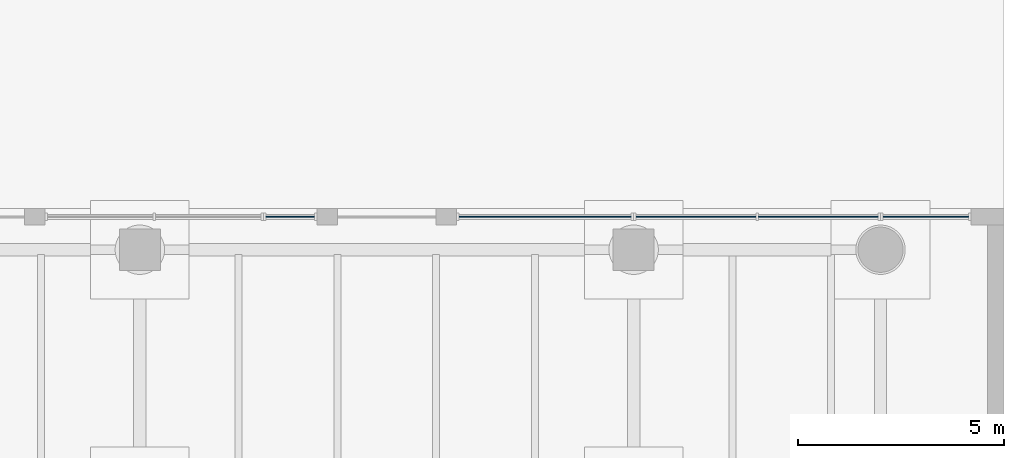
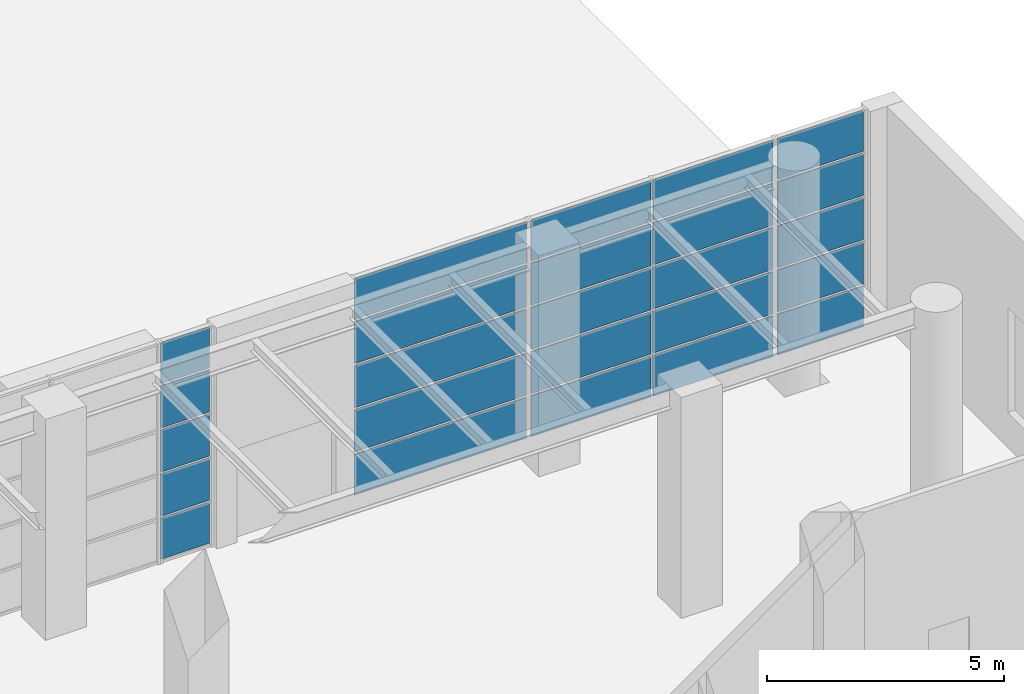
# One storey, part 11 of 27: 25 plates, 4 elements without a shape of their own.
"""IFC4 building model written with IfcOpenShell, lengths in metres."""

from ifc_helpers import new_model, si_unit, direction, frame, origin, origin_2d, place, context, subcontext, project, spatial, rectangle, extrude, material, layer, layer_set, type_object, element, aggregate, save


model = new_model("IFC4")

# Units and contexts
model_context = context("Model", 3, precision=1e-05, world=origin(), true_north=direction((0.0, 1.0)))
body_context = subcontext(model_context, "Body", "Model", "MODEL_VIEW")
ifc_project = project(units=[si_unit("LENGTHUNIT", "METRE"), si_unit("AREAUNIT", "SQUARE_METRE"), si_unit("VOLUMEUNIT", "CUBIC_METRE"), si_unit("PLANEANGLEUNIT", "RADIAN"), si_unit("MASSUNIT", "GRAM", prefix="KILO")], contexts=[model_context])

# Site, building, storey
site_placement = place(None, origin())
site = spatial("IfcSite", under=ifc_project, at=site_placement, CompositionType="ELEMENT")
building_placement = place(site_placement, origin())
building = spatial("IfcBuilding", under=site, at=building_placement, Name="Poui Terraces", CompositionType="ELEMENT")
storey_placement = place(building_placement, origin())
storey = spatial("IfcBuildingStorey", under=building, at=storey_placement, Name="L00", CompositionType="ELEMENT", Elevation=0.0)

# Curtain wall, plates
ifc_material = material(Name="Clear glass", Category="glass")
ifc_layer_1 = layer(ifc_material, 0.179931640625)
ifc_layer_set_1 = layer_set([ifc_layer_1], Name="Clear glass")
curtain_wall_type = type_object("IfcCurtainWallType", Name="CURTAIN WALL CW-B RESIDENT LOBBY GLAZING", PredefinedType="NOTDEFINED", material=ifc_layer_set_1)
curtain_wall_1_placement = place(storey_placement, origin())
curtain_wall_1 = element("IfcCurtainWall", 1, at=curtain_wall_1_placement, inside=storey, type_object=curtain_wall_type, Name="CW-B RESIDENT LOBBY GLAZING", PredefinedType="NOTDEFINED")
ifc_layer_2 = layer(ifc_material, 0.028076171875)
ifc_layer_set_2 = layer_set([ifc_layer_2], Name="Clear glass")
plate_type = type_object("IfcPlateType", Name="CW-B GLASS PANEL 28", PredefinedType="CURTAIN_PANEL", material=ifc_layer_set_2)
plate_1_placement = place(storey_placement, frame((87.64990234375, 74.800048828125, 0.06005859375), z_axis=(0.0, 0.0, 1.0), x_axis=(-1.0, 0.0, 0.0)))
plate_1 = element("IfcPlate", 2, at=plate_1_placement, type_object=plate_type, Name="CW-B panel 1.1", PredefinedType="CURTAIN_PANEL", context=body_context, shape_type="SweptSolid", body=[
    extrude(rectangle(XDim=1.179931640625, YDim=0.028076171875, at=origin_2d()), origin(), (0.0, 0.0, 1.0), 1.0458984375),
])
plate_2_placement = place(storey_placement, frame((87.64990234375, 74.800048828125, 1.166015625), z_axis=(0.0, 0.0, 1.0), x_axis=(-1.0, 0.0, 0.0)))
plate_2 = element("IfcPlate", 3, at=plate_2_placement, type_object=plate_type, Name="CW-B panel 1.2", PredefinedType="CURTAIN_PANEL", context=body_context, shape_type="SweptSolid", body=[
    extrude(rectangle(XDim=1.179931640625, YDim=0.028076171875, at=origin_2d()), origin(), (0.0, 0.0, 1.0), 1.075927734375),
])
plate_3_placement = place(storey_placement, frame((87.64990234375, 74.800048828125, 2.30224609375), z_axis=(0.0, 0.0, 1.0), x_axis=(-1.0, 0.0, 0.0)))
plate_3 = element("IfcPlate", 4, at=plate_3_placement, type_object=plate_type, Name="CW-B panel 1.3", PredefinedType="CURTAIN_PANEL", context=body_context, shape_type="SweptSolid", body=[
    extrude(rectangle(XDim=1.179931640625, YDim=0.028076171875, at=origin_2d()), origin(), (0.0, 0.0, 1.0), 1.075927734375),
])
plate_4_placement = place(storey_placement, frame((87.64990234375, 74.800048828125, 3.43798828125), z_axis=(0.0, 0.0, 1.0), x_axis=(-1.0, 0.0, 0.0)))
plate_4 = element("IfcPlate", 5, at=plate_4_placement, type_object=plate_type, Name="CW-B panel 1.4", PredefinedType="CURTAIN_PANEL", context=body_context, shape_type="SweptSolid", body=[
    extrude(rectangle(XDim=1.179931640625, YDim=0.028076171875, at=origin_2d()), origin(), (0.0, 0.0, 1.0), 1.075927734375),
])
plate_5_placement = place(storey_placement, frame((87.64990234375, 74.800048828125, 4.573974609375), z_axis=(0.0, 0.0, 1.0), x_axis=(-1.0, 0.0, 0.0)))
plate_5 = element("IfcPlate", 6, at=plate_5_placement, type_object=plate_type, Name="CW-B panel 1.5", PredefinedType="CURTAIN_PANEL", context=body_context, shape_type="SweptSolid", body=[
    extrude(rectangle(XDim=1.179931640625, YDim=0.028076171875, at=origin_2d()), origin(), (0.0, 0.0, 1.0), 1.0458984375),
])
aggregate(curtain_wall_1, [plate_1, plate_2, plate_3, plate_4, plate_5])

curtain_wall_2_placement = place(storey_placement, origin())
curtain_wall_2 = element("IfcCurtainWall", 7, at=curtain_wall_2_placement, inside=storey, type_object=curtain_wall_type, Name="CW-B RESIDENT LOBBY GLAZING", PredefinedType="NOTDEFINED")
plate_6_placement = place(storey_placement, frame((93.85009765625, 74.800048828125, 0.06005859375), z_axis=(0.0, 0.0, 1.0), x_axis=(-1.0, 0.0, 0.0)))
plate_6 = element("IfcPlate", 8, at=plate_6_placement, type_object=plate_type, Name="CW-B panel 1.1", PredefinedType="CURTAIN_PANEL", context=body_context, shape_type="SweptSolid", body=[
    extrude(rectangle(XDim=4.179931640625, YDim=0.028076171875, at=origin_2d()), origin(), (0.0, 0.0, 1.0), 1.0458984375),
])
plate_7_placement = place(storey_placement, frame((93.85009765625, 74.800048828125, 1.166015625), z_axis=(0.0, 0.0, 1.0), x_axis=(-1.0, 0.0, 0.0)))
plate_7 = element("IfcPlate", 9, at=plate_7_placement, type_object=plate_type, Name="CW-B panel 1.2", PredefinedType="CURTAIN_PANEL", context=body_context, shape_type="SweptSolid", body=[
    extrude(rectangle(XDim=4.179931640625, YDim=0.028076171875, at=origin_2d()), origin(), (0.0, 0.0, 1.0), 1.075927734375),
])
plate_8_placement = place(storey_placement, frame((93.85009765625, 74.800048828125, 2.30224609375), z_axis=(0.0, 0.0, 1.0), x_axis=(-1.0, 0.0, 0.0)))
plate_8 = element("IfcPlate", 10, at=plate_8_placement, type_object=plate_type, Name="CW-B panel 1.3", PredefinedType="CURTAIN_PANEL", context=body_context, shape_type="SweptSolid", body=[
    extrude(rectangle(XDim=4.179931640625, YDim=0.028076171875, at=origin_2d()), origin(), (0.0, 0.0, 1.0), 1.075927734375),
])
plate_9_placement = place(storey_placement, frame((93.85009765625, 74.800048828125, 3.43798828125), z_axis=(0.0, 0.0, 1.0), x_axis=(-1.0, 0.0, 0.0)))
plate_9 = element("IfcPlate", 11, at=plate_9_placement, type_object=plate_type, Name="CW-B panel 1.4", PredefinedType="CURTAIN_PANEL", context=body_context, shape_type="SweptSolid", body=[
    extrude(rectangle(XDim=4.179931640625, YDim=0.028076171875, at=origin_2d()), origin(), (0.0, 0.0, 1.0), 1.075927734375),
])
plate_10_placement = place(storey_placement, frame((93.85009765625, 74.800048828125, 4.573974609375), z_axis=(0.0, 0.0, 1.0), x_axis=(-1.0, 0.0, 0.0)))
plate_10 = element("IfcPlate", 12, at=plate_10_placement, type_object=plate_type, Name="CW-B panel 1.5", PredefinedType="CURTAIN_PANEL", context=body_context, shape_type="SweptSolid", body=[
    extrude(rectangle(XDim=4.179931640625, YDim=0.028076171875, at=origin_2d()), origin(), (0.0, 0.0, 1.0), 1.0458984375),
])
aggregate(curtain_wall_2, [plate_6, plate_7, plate_8, plate_9, plate_10])

curtain_wall_3_placement = place(storey_placement, origin())
curtain_wall_3 = element("IfcCurtainWall", 13, at=curtain_wall_3_placement, inside=storey, type_object=curtain_wall_type, Name="CW-B RESIDENT LOBBY GLAZING", PredefinedType="NOTDEFINED")
plate_11_placement = place(storey_placement, frame((100.485107421875, 74.800048828125, 0.06005859375), z_axis=(0.0, 0.0, 1.0), x_axis=(-1.0, 0.0, 0.0)))
plate_11 = element("IfcPlate", 14, at=plate_11_placement, type_object=plate_type, Name="CW-B panel 1.1", PredefinedType="CURTAIN_PANEL", context=body_context, shape_type="SweptSolid", body=[
    extrude(rectangle(XDim=2.909912109375, YDim=0.028076171875, at=origin_2d()), origin(), (0.0, 0.0, 1.0), 1.0458984375),
])
plate_12_placement = place(storey_placement, frame((100.485107421875, 74.800048828125, 1.166015625), z_axis=(0.0, 0.0, 1.0), x_axis=(-1.0, 0.0, 0.0)))
plate_12 = element("IfcPlate", 15, at=plate_12_placement, type_object=plate_type, Name="CW-B panel 1.2", PredefinedType="CURTAIN_PANEL", context=body_context, shape_type="SweptSolid", body=[
    extrude(rectangle(XDim=2.909912109375, YDim=0.028076171875, at=origin_2d()), origin(), (0.0, 0.0, 1.0), 1.075927734375),
])
plate_13_placement = place(storey_placement, frame((100.485107421875, 74.800048828125, 2.30224609375), z_axis=(0.0, 0.0, 1.0), x_axis=(-1.0, 0.0, 0.0)))
plate_13 = element("IfcPlate", 16, at=plate_13_placement, type_object=plate_type, Name="CW-B panel 1.3", PredefinedType="CURTAIN_PANEL", context=body_context, shape_type="SweptSolid", body=[
    extrude(rectangle(XDim=2.909912109375, YDim=0.028076171875, at=origin_2d()), origin(), (0.0, 0.0, 1.0), 1.075927734375),
])
plate_14_placement = place(storey_placement, frame((100.485107421875, 74.800048828125, 3.43798828125), z_axis=(0.0, 0.0, 1.0), x_axis=(-1.0, 0.0, 0.0)))
plate_14 = element("IfcPlate", 17, at=plate_14_placement, type_object=plate_type, Name="CW-B panel 1.4", PredefinedType="CURTAIN_PANEL", context=body_context, shape_type="SweptSolid", body=[
    extrude(rectangle(XDim=2.909912109375, YDim=0.028076171875, at=origin_2d()), origin(), (0.0, 0.0, 1.0), 1.075927734375),
])
plate_15_placement = place(storey_placement, frame((100.485107421875, 74.800048828125, 4.573974609375), z_axis=(0.0, 0.0, 1.0), x_axis=(-1.0, 0.0, 0.0)))
plate_15 = element("IfcPlate", 18, at=plate_15_placement, type_object=plate_type, Name="CW-B panel 1.5", PredefinedType="CURTAIN_PANEL", context=body_context, shape_type="SweptSolid", body=[
    extrude(rectangle(XDim=2.909912109375, YDim=0.028076171875, at=origin_2d()), origin(), (0.0, 0.0, 1.0), 1.0458984375),
])
plate_16_placement = place(storey_placement, frame((97.514892578125, 74.800048828125, 0.06005859375), z_axis=(0.0, 0.0, 1.0), x_axis=(-1.0, 0.0, 0.0)))
plate_16 = element("IfcPlate", 19, at=plate_16_placement, type_object=plate_type, Name="CW-B panel 2.1", PredefinedType="CURTAIN_PANEL", context=body_context, shape_type="SweptSolid", body=[
    extrude(rectangle(XDim=2.909912109375, YDim=0.028076171875, at=origin_2d()), origin(), (0.0, 0.0, 1.0), 1.0458984375),
])
plate_17_placement = place(storey_placement, frame((97.514892578125, 74.800048828125, 1.166015625), z_axis=(0.0, 0.0, 1.0), x_axis=(-1.0, 0.0, 0.0)))
plate_17 = element("IfcPlate", 20, at=plate_17_placement, type_object=plate_type, Name="CW-B panel 2.2", PredefinedType="CURTAIN_PANEL", context=body_context, shape_type="SweptSolid", body=[
    extrude(rectangle(XDim=2.909912109375, YDim=0.028076171875, at=origin_2d()), origin(), (0.0, 0.0, 1.0), 1.075927734375),
])
plate_18_placement = place(storey_placement, frame((97.514892578125, 74.800048828125, 2.30224609375), z_axis=(0.0, 0.0, 1.0), x_axis=(-1.0, 0.0, 0.0)))
plate_18 = element("IfcPlate", 21, at=plate_18_placement, type_object=plate_type, Name="CW-B panel 2.3", PredefinedType="CURTAIN_PANEL", context=body_context, shape_type="SweptSolid", body=[
    extrude(rectangle(XDim=2.909912109375, YDim=0.028076171875, at=origin_2d()), origin(), (0.0, 0.0, 1.0), 1.075927734375),
])
plate_19_placement = place(storey_placement, frame((97.514892578125, 74.800048828125, 3.43798828125), z_axis=(0.0, 0.0, 1.0), x_axis=(-1.0, 0.0, 0.0)))
plate_19 = element("IfcPlate", 22, at=plate_19_placement, type_object=plate_type, Name="CW-B panel 2.4", PredefinedType="CURTAIN_PANEL", context=body_context, shape_type="SweptSolid", body=[
    extrude(rectangle(XDim=2.909912109375, YDim=0.028076171875, at=origin_2d()), origin(), (0.0, 0.0, 1.0), 1.075927734375),
])
plate_20_placement = place(storey_placement, frame((97.514892578125, 74.800048828125, 4.573974609375), z_axis=(0.0, 0.0, 1.0), x_axis=(-1.0, 0.0, 0.0)))
plate_20 = element("IfcPlate", 23, at=plate_20_placement, type_object=plate_type, Name="CW-B panel 2.5", PredefinedType="CURTAIN_PANEL", context=body_context, shape_type="SweptSolid", body=[
    extrude(rectangle(XDim=2.909912109375, YDim=0.028076171875, at=origin_2d()), origin(), (0.0, 0.0, 1.0), 1.0458984375),
])
aggregate(curtain_wall_3, [plate_11, plate_12, plate_13, plate_14, plate_15, plate_16, plate_17, plate_18, plate_19, plate_20])

curtain_wall_4_placement = place(storey_placement, origin())
curtain_wall_4 = element("IfcCurtainWall", 24, at=curtain_wall_4_placement, inside=storey, type_object=curtain_wall_type, Name="CW-B RESIDENT LOBBY GLAZING", PredefinedType="NOTDEFINED")
plate_21_placement = place(storey_placement, frame((103.10009765625, 74.800048828125, 0.06005859375), z_axis=(0.0, 0.0, 1.0), x_axis=(-1.0, 0.0, 0.0)))
plate_21 = element("IfcPlate", 25, at=plate_21_placement, type_object=plate_type, Name="CW-B panel 1.1", PredefinedType="CURTAIN_PANEL", context=body_context, shape_type="SweptSolid", body=[
    extrude(rectangle(XDim=2.080078125, YDim=0.028076171875, at=origin_2d()), origin(), (0.0, 0.0, 1.0), 1.0458984375),
])
plate_22_placement = place(storey_placement, frame((103.10009765625, 74.800048828125, 1.166015625), z_axis=(0.0, 0.0, 1.0), x_axis=(-1.0, 0.0, 0.0)))
plate_22 = element("IfcPlate", 26, at=plate_22_placement, type_object=plate_type, Name="CW-B panel 1.2", PredefinedType="CURTAIN_PANEL", context=body_context, shape_type="SweptSolid", body=[
    extrude(rectangle(XDim=2.080078125, YDim=0.028076171875, at=origin_2d()), origin(), (0.0, 0.0, 1.0), 1.075927734375),
])
plate_23_placement = place(storey_placement, frame((103.10009765625, 74.800048828125, 2.30224609375), z_axis=(0.0, 0.0, 1.0), x_axis=(-1.0, 0.0, 0.0)))
plate_23 = element("IfcPlate", 27, at=plate_23_placement, type_object=plate_type, Name="CW-B panel 1.3", PredefinedType="CURTAIN_PANEL", context=body_context, shape_type="SweptSolid", body=[
    extrude(rectangle(XDim=2.080078125, YDim=0.028076171875, at=origin_2d()), origin(), (0.0, 0.0, 1.0), 1.075927734375),
])
plate_24_placement = place(storey_placement, frame((103.10009765625, 74.800048828125, 3.43798828125), z_axis=(0.0, 0.0, 1.0), x_axis=(-1.0, 0.0, 0.0)))
plate_24 = element("IfcPlate", 28, at=plate_24_placement, type_object=plate_type, Name="CW-B panel 1.4", PredefinedType="CURTAIN_PANEL", context=body_context, shape_type="SweptSolid", body=[
    extrude(rectangle(XDim=2.080078125, YDim=0.028076171875, at=origin_2d()), origin(), (0.0, 0.0, 1.0), 1.075927734375),
])
plate_25_placement = place(storey_placement, frame((103.10009765625, 74.800048828125, 4.573974609375), z_axis=(0.0, 0.0, 1.0), x_axis=(-1.0, 0.0, 0.0)))
plate_25 = element("IfcPlate", 29, at=plate_25_placement, type_object=plate_type, Name="CW-B panel 1.5", PredefinedType="CURTAIN_PANEL", context=body_context, shape_type="SweptSolid", body=[
    extrude(rectangle(XDim=2.080078125, YDim=0.028076171875, at=origin_2d()), origin(), (0.0, 0.0, 1.0), 1.0458984375),
])
aggregate(curtain_wall_4, [plate_21, plate_22, plate_23, plate_24, plate_25])

save(model, "model.ifc")
